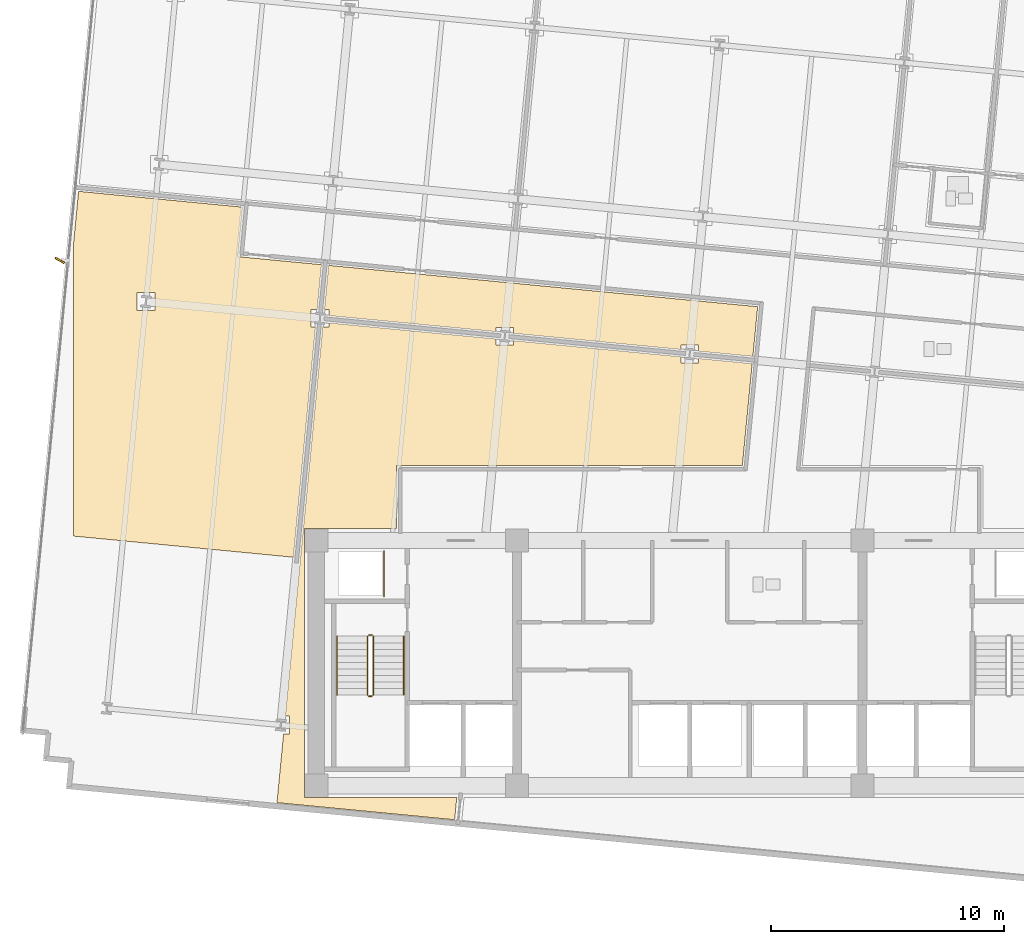
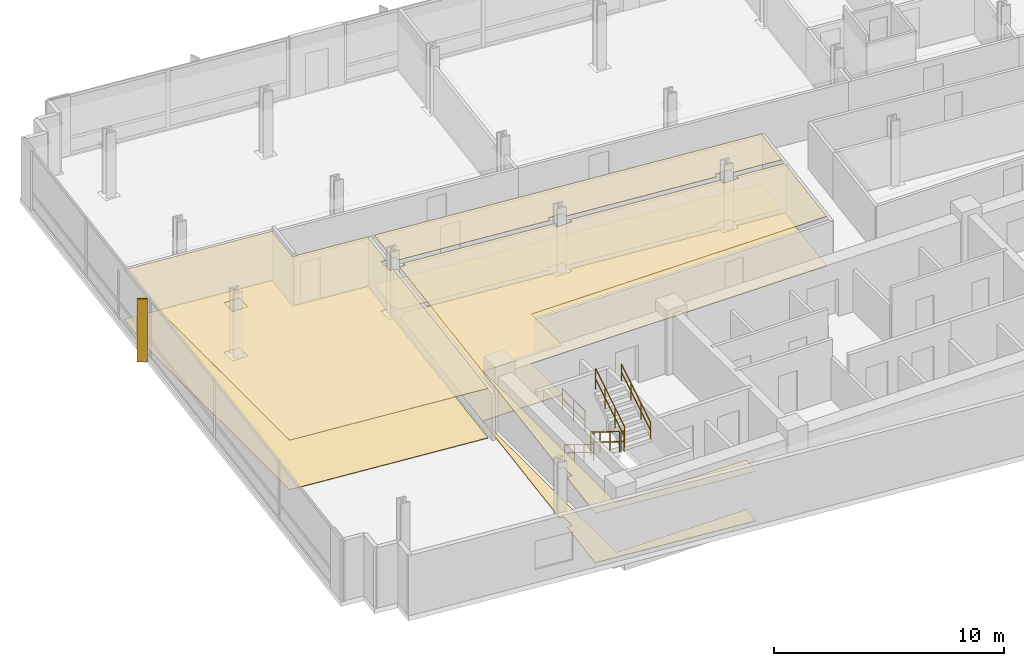
# One storey, part 13 of 16: 7 railings, 6 coverings, 1 shading device.
"""IFC4 building model written with IfcOpenShell, lengths in metres."""

from ifc_helpers import new_model, si_unit, direction, frame, origin, origin_2d, place, context, subcontext, project, spatial, polyline, rectangle, circle, outline, extrude, material, layer, layer_set, type_object, element, save


model = new_model("IFC4")

# Units and contexts
model_context = context("Model", 3, precision=1e-05, world=origin(), true_north=direction((0.0, 1.0)))
body_context = subcontext(model_context, "Body", "Model", "MODEL_VIEW")
ifc_project = project(units=[si_unit("LENGTHUNIT", "METRE"), si_unit("AREAUNIT", "SQUARE_METRE"), si_unit("VOLUMEUNIT", "CUBIC_METRE"), si_unit("PLANEANGLEUNIT", "RADIAN"), si_unit("MASSUNIT", "GRAM", prefix="KILO")], contexts=[model_context])

# Site, building, storey
site_placement = place(None, origin())
site = spatial("IfcSite", under=ifc_project, at=site_placement, CompositionType="ELEMENT")
building_placement = place(site_placement, origin())
building = spatial("IfcBuilding", under=site, at=building_placement, Name="Solmavex Isthmus Hotel", CompositionType="ELEMENT")
storey_placement = place(building_placement, frame((0.0, 0.0, 166.949951171875)))
storey = spatial("IfcBuildingStorey", under=building, at=storey_placement, Name="L45", CompositionType="ELEMENT", Elevation=166.949951171875)

# Coverings
ifc_material_1 = material(Name="Gypsum plasterboard lining", Category="gypsum")
ifc_layer_1 = layer(ifc_material_1, 0.030029296875)
ifc_layer_set_1 = layer_set([ifc_layer_1], Name="Gypsum plasterboard lining")
covering_type_1 = type_object("IfcCoveringType", Name="COV-CEIL-GYP", PredefinedType="CEILING", material=ifc_layer_set_1)
covering_1_placement = place(storey_placement, frame((0.0, 0.0, 2.6201171875)))
element("IfcCovering", 1, at=covering_1_placement, inside=storey, type_object=covering_type_1, Name="Suspended Acoustic Ceiling L45-FL06", PredefinedType="CEILING", context=body_context, shape_type="SweptSolid", body=[
    extrude(outline(polyline([(-0.378662109375, 5.6826171875), (-0.378662109375, 5.870361328125), (0.38134765625, 5.870361328125), (0.38134765625, 5.609375), (2.706787109375, 5.385498046875), (2.911865234375, 7.515625), (-15.463134765625, 9.284912109375), (-15.645263671875, 7.3955078125), (-15.45751953125, 7.3955078125), (-15.45751953125, 7.134521484375), (-8.298095703125, 6.445068359375), (-8.298095703125, 6.6328125), (-7.5380859375, 6.6328125), (-7.5380859375, 6.3720703125), (-0.378662109375, 5.6826171875)])), origin(), (0.0, 0.0, 1.0), 0.030029296875),
])
covering_2_placement = place(storey_placement, frame((0.0, 0.0, 2.6201171875)))
element("IfcCovering", 2, at=covering_2_placement, inside=storey, type_object=covering_type_1, Name="Suspended Acoustic Ceiling L45-FL08", PredefinedType="CEILING", context=body_context, shape_type="SweptSolid", body=[
    extrude(outline(polyline([(-17.322509765625, -10.02392578125), (-17.134765625, -10.02392578125), (-17.134765625, -10.783935546875), (-17.395751953125, -10.783935546875), (-17.67919921875, -13.728515625), (-10.068359375, -14.46142578125), (-9.976318359375, -13.5048828125), (-16.5048828125, -13.5048828125), (-16.5048828125, -1.9951171875), (-12.554931640625, -1.9951171875), (-12.554931640625, 0.705078125), (2.256103515625, 0.705078125), (2.677001953125, 5.076904296875), (0.38134765625, 5.298095703125), (0.38134765625, 5.1103515625), (-0.378662109375, 5.1103515625), (-0.378662109375, 5.37109375), (-7.5380859375, 6.060546875), (-7.5380859375, 5.872802734375), (-8.298095703125, 5.872802734375), (-8.298095703125, 6.1337890625), (-15.45751953125, 6.822998046875), (-15.45751953125, 6.635498046875), (-15.71826171875, 6.635498046875), (-17.322509765625, -10.02392578125)])), origin(), (0.0, 0.0, 1.0), 0.030029296875),
])
covering_3_placement = place(storey_placement, frame((0.0, 0.0, 2.6201171875)))
element("IfcCovering", 3, at=covering_3_placement, inside=storey, type_object=covering_type_1, Name="Suspended Acoustic Ceiling L45-FL10", PredefinedType="CEILING", context=body_context, shape_type="SweptSolid", body=[
    extrude(outline(polyline([(-16.02978515625, 6.635498046875), (-16.217529296875, 6.635498046875), (-16.217529296875, 7.3955078125), (-15.95654296875, 7.3955078125), (-15.771728515625, 9.314697265625), (-19.355224609375, 9.65966796875), (-19.151123046875, 11.780029296875), (-26.176513671875, 12.45654296875), (-26.39990234375, 10.135986328125), (-26.39990234375, -2.31005859375), (-16.978515625, -3.21728515625), (-16.02978515625, 6.635498046875)]), holes=[polyline([(-23.6708984375, 7.35302734375), (-23.6708984375, 8.113037109375), (-22.910888671875, 8.113037109375), (-22.910888671875, 7.35302734375), (-23.6708984375, 7.35302734375)])]), origin(), (0.0, 0.0, 1.0), 0.030029296875),
])
ifc_material_2 = material(Name="Travertine natural stone", Category="masonry")
ifc_layer_2 = layer(ifc_material_2, 0.02490234375)
ifc_layer_set_2 = layer_set([ifc_layer_2], Name="Travertine natural stone")
covering_type_2 = type_object("IfcCoveringType", Name="COV-FLOR-STN", PredefinedType="FLOORING", material=ifc_layer_set_2)
covering_4_placement = place(storey_placement, origin())
element("IfcCovering", 4, at=covering_4_placement, inside=storey, type_object=covering_type_2, Name="Stone and Timber Floor Finish L45-FL06", PredefinedType="FLOORING", context=body_context, shape_type="SweptSolid", body=[
    extrude(outline(polyline([(-0.378662109375, 5.6826171875), (-0.378662109375, 5.870361328125), (0.38134765625, 5.870361328125), (0.38134765625, 5.609375), (2.706787109375, 5.385498046875), (2.911865234375, 7.515625), (-15.463134765625, 9.284912109375), (-15.645263671875, 7.3955078125), (-15.45751953125, 7.3955078125), (-15.45751953125, 7.134521484375), (-8.298095703125, 6.445068359375), (-8.298095703125, 6.6328125), (-7.5380859375, 6.6328125), (-7.5380859375, 6.3720703125), (-0.378662109375, 5.6826171875)])), origin(), (0.0, 0.0, 1.0), 0.025146484375),
])
covering_5_placement = place(storey_placement, origin())
element("IfcCovering", 5, at=covering_5_placement, inside=storey, type_object=covering_type_2, Name="Stone and Timber Floor Finish L45-FL08", PredefinedType="FLOORING", context=body_context, shape_type="SweptSolid", body=[
    extrude(outline(polyline([(-17.322509765625, -10.02392578125), (-17.134765625, -10.02392578125), (-17.134765625, -10.783935546875), (-17.395751953125, -10.783935546875), (-17.67919921875, -13.728515625), (-10.068359375, -14.46142578125), (-9.976318359375, -13.5048828125), (-16.5048828125, -13.5048828125), (-16.5048828125, -1.9951171875), (-12.554931640625, -1.9951171875), (-12.554931640625, 0.705078125), (2.256103515625, 0.705078125), (2.677001953125, 5.076904296875), (0.38134765625, 5.298095703125), (0.38134765625, 5.1103515625), (-0.378662109375, 5.1103515625), (-0.378662109375, 5.37109375), (-7.5380859375, 6.060546875), (-7.5380859375, 5.872802734375), (-8.298095703125, 5.872802734375), (-8.298095703125, 6.1337890625), (-15.45751953125, 6.822998046875), (-15.45751953125, 6.635498046875), (-15.71826171875, 6.635498046875), (-17.322509765625, -10.02392578125)])), origin(), (0.0, 0.0, 1.0), 0.025146484375),
])
covering_6_placement = place(storey_placement, origin())
element("IfcCovering", 6, at=covering_6_placement, inside=storey, type_object=covering_type_2, Name="Stone and Timber Floor Finish L45-FL10", PredefinedType="FLOORING", context=body_context, shape_type="SweptSolid", body=[
    extrude(outline(polyline([(-16.02978515625, 6.635498046875), (-16.217529296875, 6.635498046875), (-16.217529296875, 7.3955078125), (-15.95654296875, 7.3955078125), (-15.771728515625, 9.314697265625), (-19.355224609375, 9.65966796875), (-19.151123046875, 11.780029296875), (-26.176513671875, 12.45654296875), (-26.39990234375, 10.135986328125), (-26.39990234375, -2.31005859375), (-16.978515625, -3.21728515625), (-16.02978515625, 6.635498046875)]), holes=[polyline([(-23.6708984375, 7.35302734375), (-23.6708984375, 8.113037109375), (-22.910888671875, 8.113037109375), (-22.910888671875, 7.35302734375), (-23.6708984375, 7.35302734375)])]), origin(), (0.0, 0.0, 1.0), 0.025146484375),
])

# Railings
ifc_material_3 = material(Name="Clear low-E laminated glass", Category="glass")
ifc_layer_3 = layer(ifc_material_3, 0.080078125)
ifc_layer_set_3 = layer_set([ifc_layer_3], Name="Clear low-E laminated glass")
railing_type_1 = type_object("IfcRailingType", Name="RAIL-ATRIUM-1120", PredefinedType="BALUSTRADE", material=ifc_layer_set_3)
railing_1_placement = place(storey_placement, frame((-13.10009765625, -4.89990234375, 0.0)))
element("IfcRailing", 7, at=railing_1_placement, inside=storey, type_object=railing_type_1, Name="Guardrail Balustrade L45-RSW-01", PredefinedType="BALUSTRADE", context=body_context, shape_type="SweptSolid", body=[
    extrude(circle(Radius=0.02392578125, at=origin_2d()), frame((0.0, 0.0, 1.1259765625), z_axis=(0.0, 1.0, 0.0), x_axis=(-1.0, 0.0, 0.0)), (0.0, 0.0, 1.0), 1.949951171875),
    extrude(circle(Radius=0.02392578125, at=origin_2d()), frame((0.0, 0.0, 0.574951171875), z_axis=(0.0, 1.0, 0.0), x_axis=(-1.0, 0.0, 0.0)), (0.0, 0.0, 1.0), 1.949951171875),
    extrude(circle(Radius=0.02099609375, at=origin_2d()), origin(), (0.0, 0.0, 1.0), 1.101806640625),
    extrude(circle(Radius=0.02099609375, at=origin_2d()), frame((0.0, 0.97509765625, 0.0)), (0.0, 0.0, 1.0), 1.101806640625),
    extrude(circle(Radius=0.02099609375, at=origin_2d()), frame((0.0, 1.949951171875, 0.0)), (0.0, 0.0, 1.0), 1.101806640625),
])
ifc_material_4 = material(Name="Stainless steel 316", Category="steel")
ifc_layer_4 = layer(ifc_material_4, 0.06005859375)
ifc_layer_set_4 = layer_set([ifc_layer_4], Name="Stainless steel 316")
railing_type_2 = type_object("IfcRailingType", Name="RAIL-STAIR-GD", PredefinedType="GUARDRAIL", material=ifc_layer_set_4)
railing_2_placement = place(storey_placement, frame((-13.800048828125, -6.60009765625, 0.172607421875)))
element("IfcRailing", 8, at=railing_2_placement, inside=storey, type_object=railing_type_2, Name="L45 ST-1 stair guard 1", PredefinedType="GUARDRAIL", context=body_context, shape_type="SweptSolid", body=[
    extrude(circle(Radius=0.02392578125, at=origin_2d()), frame((0.0, 0.0, 1.09619140625), z_axis=(0.0, -0.851400495292, 0.524516154772), x_axis=(1.0, 0.0, 0.0)), (0.0, 0.0, 1.0), 2.9599609375),
    extrude(circle(Radius=0.02392578125, at=origin_2d()), frame((0.0, 0.0, 0.56005859375), z_axis=(0.0, -0.851400495292, 0.524516154772), x_axis=(1.0, 0.0, 0.0)), (0.0, 0.0, 1.0), 2.9599609375),
    extrude(circle(Radius=0.02099609375, at=origin_2d()), origin(), (0.0, 0.0, 1.0), 1.072021484375),
    extrude(circle(Radius=0.02099609375, at=origin_2d()), frame((0.0, -0.840087890625, 0.517578125)), (0.0, 0.0, 1.0), 1.072021484375),
    extrude(circle(Radius=0.02099609375, at=origin_2d()), frame((0.0, -1.679931640625, 1.034912109375)), (0.0, 0.0, 1.0), 1.072021484375),
    extrude(circle(Radius=0.02099609375, at=origin_2d()), frame((0.0, -2.52001953125, 1.552490234375)), (0.0, 0.0, 1.0), 1.072021484375),
])
railing_3_placement = place(storey_placement, frame((-13.75, -9.169921875, 1.72509765625)))
element("IfcRailing", 9, at=railing_3_placement, inside=storey, type_object=railing_type_2, Name="L45 ST-1 stair guard 2", PredefinedType="GUARDRAIL", context=body_context, shape_type="SweptSolid", body=[
    extrude(circle(Radius=0.02392578125, at=origin_2d()), frame((0.0, 0.0, 1.09619140625), z_axis=(1.0, 0.0, 0.0), x_axis=(0.0, 1.0, 0.0)), (0.0, 0.0, 1.0), 0.14990234375),
    extrude(circle(Radius=0.02392578125, at=origin_2d()), frame((0.0, 0.0, 0.56005859375), z_axis=(1.0, 0.0, 0.0), x_axis=(0.0, 1.0, 0.0)), (0.0, 0.0, 1.0), 0.14990234375),
    extrude(circle(Radius=0.02099609375, at=origin_2d()), origin(), (0.0, 0.0, 1.0), 1.072021484375),
    extrude(circle(Radius=0.02099609375, at=origin_2d()), frame((0.14990234375, 0.0, 0.0)), (0.0, 0.0, 1.0), 1.072021484375),
])
railing_4_placement = place(storey_placement, frame((-13.550048828125, -9.1201171875, 1.8974609375)))
element("IfcRailing", 10, at=railing_4_placement, inside=storey, type_object=railing_type_2, Name="L45 ST-1 stair guard 3", PredefinedType="GUARDRAIL", context=body_context, shape_type="SweptSolid", body=[
    extrude(circle(Radius=0.02392578125, at=origin_2d()), frame((0.0, 0.0, 1.09619140625), z_axis=(0.0, 0.851400495292, 0.524516154772), x_axis=(-1.0, 0.0, 0.0)), (0.0, 0.0, 1.0), 2.9599609375),
    extrude(circle(Radius=0.02392578125, at=origin_2d()), frame((0.0, 0.0, 0.56005859375), z_axis=(0.0, 0.851400495292, 0.524516154772), x_axis=(-1.0, 0.0, 0.0)), (0.0, 0.0, 1.0), 2.9599609375),
    extrude(circle(Radius=0.02099609375, at=origin_2d()), origin(), (0.0, 0.0, 1.0), 1.072021484375),
    extrude(circle(Radius=0.02099609375, at=origin_2d()), frame((0.0, 0.840087890625, 0.517578125)), (0.0, 0.0, 1.0), 1.072021484375),
    extrude(circle(Radius=0.02099609375, at=origin_2d()), frame((0.0, 1.679931640625, 1.034912109375)), (0.0, 0.0, 1.0), 1.072021484375),
    extrude(circle(Radius=0.02099609375, at=origin_2d()), frame((0.0, 2.52001953125, 1.552490234375)), (0.0, 0.0, 1.0), 1.072021484375),
])
railing_5_placement = place(storey_placement, frame((-13.75, -6.550048828125, 0.0)))
element("IfcRailing", 11, at=railing_5_placement, inside=storey, type_object=railing_type_2, Name="L45 ST-1 stair guard 4", PredefinedType="GUARDRAIL", context=body_context, shape_type="SweptSolid", body=[
    extrude(circle(Radius=0.02392578125, at=origin_2d()), frame((0.0, 0.0, 1.09619140625), z_axis=(1.0, 0.0, 0.0), x_axis=(0.0, 1.0, 0.0)), (0.0, 0.0, 1.0), 0.14990234375),
    extrude(circle(Radius=0.02392578125, at=origin_2d()), frame((0.0, 0.0, 0.56005859375), z_axis=(1.0, 0.0, 0.0), x_axis=(0.0, 1.0, 0.0)), (0.0, 0.0, 1.0), 0.14990234375),
    extrude(circle(Radius=0.02099609375, at=origin_2d()), origin(), (0.0, 0.0, 1.0), 1.072021484375),
    extrude(circle(Radius=0.02099609375, at=origin_2d()), frame((0.14990234375, 0.0, 0.0)), (0.0, 0.0, 1.0), 1.072021484375),
])
ifc_layer_5 = layer(ifc_material_4, 0.050048828125)
ifc_layer_set_5 = layer_set([ifc_layer_5], Name="Stainless steel 316")
railing_type_3 = type_object("IfcRailingType", Name="RAIL-STAIR-HR", PredefinedType="HANDRAIL", material=ifc_layer_set_5)
railing_6_placement = place(storey_placement, frame((-15.10009765625, -6.60009765625, 0.172607421875)))
element("IfcRailing", 12, at=railing_6_placement, inside=storey, type_object=railing_type_3, Name="L45 ST-1 stair handrail 1", PredefinedType="HANDRAIL", context=body_context, shape_type="SweptSolid", body=[
    extrude(circle(Radius=0.02392578125, at=origin_2d()), frame((0.0, 0.0, 0.8759765625), z_axis=(0.0, -0.851400495292, 0.524516154772), x_axis=(1.0, 0.0, 0.0)), (0.0, 0.0, 1.0), 2.9599609375),
    extrude(circle(Radius=0.02392578125, at=origin_2d()), frame((0.0, 0.0, 0.449951171875), z_axis=(0.0, -0.851400495292, 0.524516154772), x_axis=(1.0, 0.0, 0.0)), (0.0, 0.0, 1.0), 2.9599609375),
    extrude(circle(Radius=0.02099609375, at=origin_2d()), origin(), (0.0, 0.0, 1.0), 0.851806640625),
    extrude(circle(Radius=0.02099609375, at=origin_2d()), frame((0.0, -0.840087890625, 0.517578125)), (0.0, 0.0, 1.0), 0.851806640625),
    extrude(circle(Radius=0.02099609375, at=origin_2d()), frame((0.0, -1.679931640625, 1.034912109375)), (0.0, 0.0, 1.0), 0.851806640625),
    extrude(circle(Radius=0.02099609375, at=origin_2d()), frame((0.0, -2.52001953125, 1.552490234375)), (0.0, 0.0, 1.0), 0.851806640625),
])
railing_7_placement = place(storey_placement, frame((-12.25, -9.1201171875, 1.8974609375)))
element("IfcRailing", 13, at=railing_7_placement, inside=storey, type_object=railing_type_3, Name="L45 ST-1 stair handrail 2", PredefinedType="HANDRAIL", context=body_context, shape_type="SweptSolid", body=[
    extrude(circle(Radius=0.02392578125, at=origin_2d()), frame((0.0, 0.0, 0.8759765625), z_axis=(0.0, 0.851400495292, 0.524516154772), x_axis=(-1.0, 0.0, 0.0)), (0.0, 0.0, 1.0), 2.9599609375),
    extrude(circle(Radius=0.02392578125, at=origin_2d()), frame((0.0, 0.0, 0.449951171875), z_axis=(0.0, 0.851400495292, 0.524516154772), x_axis=(-1.0, 0.0, 0.0)), (0.0, 0.0, 1.0), 2.9599609375),
    extrude(circle(Radius=0.02099609375, at=origin_2d()), origin(), (0.0, 0.0, 1.0), 0.851806640625),
    extrude(circle(Radius=0.02099609375, at=origin_2d()), frame((0.0, 0.840087890625, 0.517578125)), (0.0, 0.0, 1.0), 0.851806640625),
    extrude(circle(Radius=0.02099609375, at=origin_2d()), frame((0.0, 1.679931640625, 1.034912109375)), (0.0, 0.0, 1.0), 0.851806640625),
    extrude(circle(Radius=0.02099609375, at=origin_2d()), frame((0.0, 2.52001953125, 1.552490234375)), (0.0, 0.0, 1.0), 0.851806640625),
])

# Shading device
ifc_material_5 = material(Name="Aluminium alloy 6063-T6", Category="aluminium")
shading_device_type = type_object("IfcShadingDeviceType", Name="SHD-FIN-BRONZE", PredefinedType="USERDEFINED", material=ifc_material_5)
shading_device_placement = place(storey_placement, frame((-26.979248046875, 9.49462890625, -0.139892578125), z_axis=(0.0, 0.0, 1.0), x_axis=(-0.87035569594, 0.492423560103, 0.0)))
element("IfcShadingDevice", 14, at=shading_device_placement, inside=storey, type_object=shading_device_type, Name="Anodised Aluminium Solar Fin L45-W1", ObjectType="SOLAR_FIN", PredefinedType="USERDEFINED", context=body_context, shape_type="SweptSolid", body=[
    extrude(rectangle(XDim=0.449951171875, YDim=0.080078125, at=origin_2d()), origin(), (0.0, 0.0, 1.0), 3.330078125),
])

save(model, "model.ifc")
